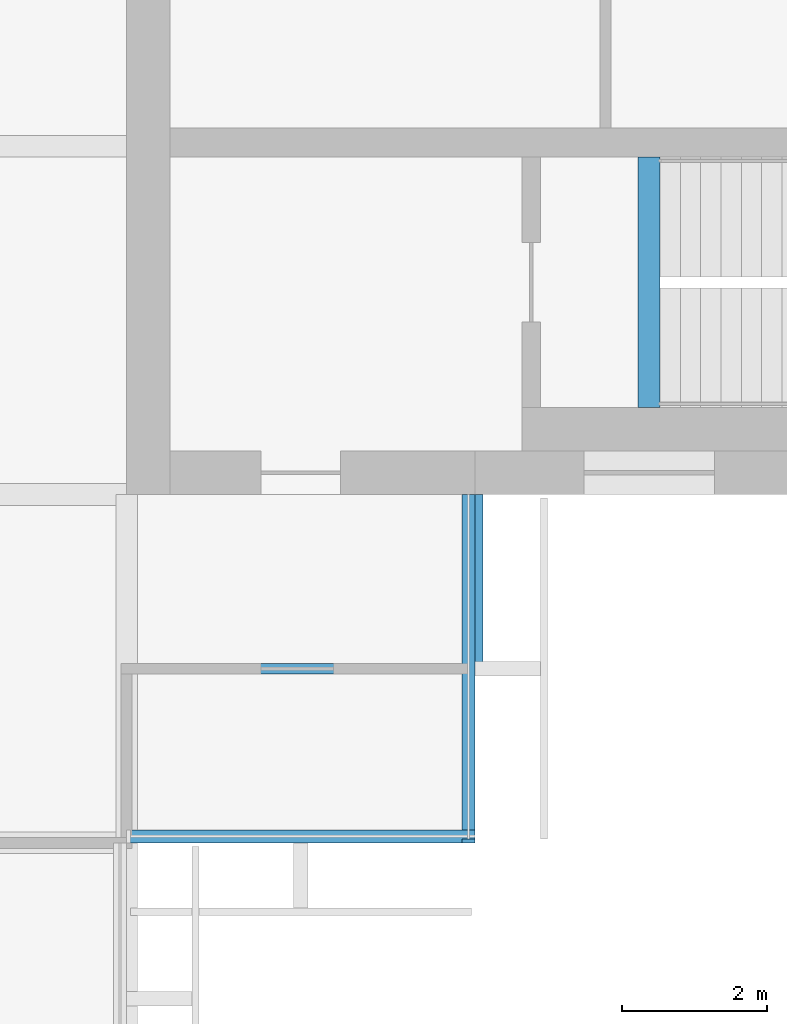
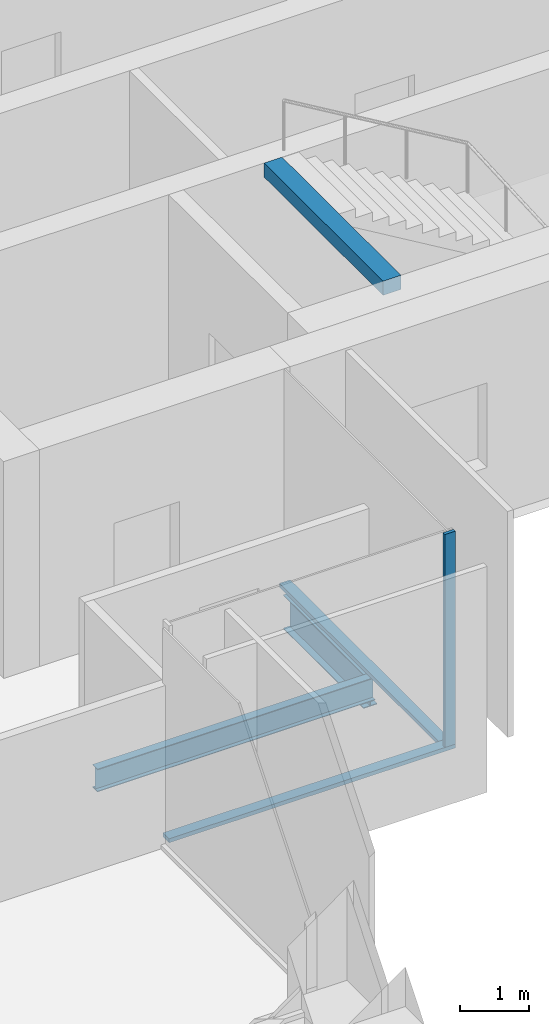
# One storey, part 4 of 13: 3 beams, 3 members, 2 elements without a shape of their own.
"""IFC4 building model written with IfcOpenShell, lengths in metres."""

import ifcopenshell
import ifcopenshell.guid

model = None  # the IFC model being written
_history = None  # IfcOwnerHistory: only IFC2X3 demands one
_inside = {}  # id of a spatial element -> (the spatial element, [elements in it])
_under = {}  # id of a project, library or spatial element -> (it, [spatial elements below it])
_declared = {}  # id of a project -> (the project, [libraries it declares])
_typed = {}  # id of a type object -> (the type object, [elements of that type])
_made_of = {}  # id of a material, layer set ... -> (it, [elements and type objects made of it])


def new_model(schema):
    """Start an empty IFC model of exactly this schema.

    Asked for "IFC4X3", IfcOpenShell would pick the latest addendum, in which some entities
    have other attributes; the version numbers below select the first issue.
    IFC2X3 requires an IfcOwnerHistory on every rooted entity: one is made here for all.
    """
    global model, _history
    if schema == "IFC4X3":
        model = ifcopenshell.file(schema_version=(4, 3, 0, 0))
    else:
        model = ifcopenshell.file(schema=schema)
    _inside.clear()
    _under.clear()
    _declared.clear()
    _typed.clear()
    _made_of.clear()
    _history = None
    if model.schema == "IFC2X3":
        org = make("IfcOrganization", Name="unknown")
        user = make(
            "IfcPersonAndOrganization",
            ThePerson=make("IfcPerson", FamilyName="unknown"),
            TheOrganization=org,
        )
        app = make(
            "IfcApplication",
            ApplicationDeveloper=org,
            Version="unknown",
            ApplicationFullName="unknown",
            ApplicationIdentifier="unknown",
        )
        _history = make(
            "IfcOwnerHistory",
            OwningUser=user,
            OwningApplication=app,
            ChangeAction="ADDED",
            CreationDate=0,
        )
    return model


def make(cls, **values):
    """One entity of the class cls with the attributes given. An attribute that is None is left unset."""
    return model.create_entity(
        cls, **{name: value for name, value in values.items() if value is not None}
    )


def rooted(cls, **values):
    """An entity with a GlobalId (a new one), such as an element, a storey or a relation."""
    return make(cls, GlobalId=ifcopenshell.guid.new(), OwnerHistory=_history, **values)


def si_unit(unit_type, name, prefix=None):
    """IfcSIUnit, for example si_unit("LENGTHUNIT", "METRE", prefix="MILLI")."""
    return make("IfcSIUnit", UnitType=unit_type, Prefix=prefix, Name=name)


def assignment(units):
    """IfcUnitAssignment: the units of a project."""
    return None if units is None else make("IfcUnitAssignment", Units=units)


def point(xyz):
    """IfcCartesianPoint."""
    return None if xyz is None else make("IfcCartesianPoint", Coordinates=xyz)


def direction(xyz):
    """IfcDirection."""
    return None if xyz is None else make("IfcDirection", DirectionRatios=xyz)


def frame(location, z_axis=None, x_axis=None):
    """IfcAxis2Placement3D, a coordinate frame: its origin and axes. An axis left out is left unset."""
    return make(
        "IfcAxis2Placement3D",
        Location=point(location),
        Axis=direction(z_axis),
        RefDirection=direction(x_axis),
    )


def frame_2d(location, x_axis=None):
    """IfcAxis2Placement2D, a coordinate frame in the plane: its origin and x axis."""
    return make(
        "IfcAxis2Placement2D", Location=point(location), RefDirection=direction(x_axis)
    )


def origin():
    """The frame at (0, 0, 0) with its axes left unset."""
    return frame((0.0, 0.0, 0.0))


def origin_2d():
    """The frame at (0, 0) in the plane with its x axis left unset."""
    return frame_2d((0.0, 0.0))


def place(relative_to, where):
    """IfcLocalPlacement: puts the frame where relative to a parent placement (None: the world)."""
    return make(
        "IfcLocalPlacement", PlacementRelTo=relative_to, RelativePlacement=where
    )


def context(
    kind, dimensions, precision=None, world=None, true_north=None, identifier=None
):
    """IfcGeometricRepresentationContext, for example the 3D "Model" context."""
    return make(
        "IfcGeometricRepresentationContext",
        ContextIdentifier=identifier,
        ContextType=kind,
        CoordinateSpaceDimension=dimensions,
        Precision=precision,
        WorldCoordinateSystem=world,
        TrueNorth=true_north,
    )


def subcontext(parent, identifier, kind, view, scale=None):
    """IfcGeometricRepresentationSubContext, for example "Body" below "Model"."""
    return make(
        "IfcGeometricRepresentationSubContext",
        ContextIdentifier=identifier,
        ContextType=kind,
        ParentContext=parent,
        TargetScale=scale,
        TargetView=view,
    )


def project(units=None, contexts=None):
    """IfcProject with its units and contexts."""
    return rooted(
        "IfcProject",
        Name="project",
        RepresentationContexts=contexts,
        UnitsInContext=assignment(units),
    )


def spatial(cls, under=None, at=None, **own):
    """A site, building, storey or space (cls), placed at a placement, below another one or the project."""
    s = rooted(cls, ObjectPlacement=at, **own)
    if under is not None:
        _under.setdefault(under.id(), (under, []))[1].append(s)
    return s


def profile(cls, at=None, kind="AREA", **sizes):
    """A parametric profile (cls). Its sizes go by their IFC names, for example OverallWidth=200.0."""
    return make(cls, ProfileType=kind, Position=at, **sizes)


def rectangle(**sizes):
    """IfcRectangleProfileDef."""
    return profile("IfcRectangleProfileDef", **sizes)


def i_section(**sizes):
    """IfcIShapeProfileDef."""
    return profile("IfcIShapeProfileDef", **sizes)


def extrude(swept, where, along, depth):
    """IfcExtrudedAreaSolid: the profile swept, set in the frame where, extruded along a direction by depth."""
    return make(
        "IfcExtrudedAreaSolid",
        SweptArea=swept,
        Position=where,
        ExtrudedDirection=direction(along),
        Depth=depth,
    )


def shape(context_of_items, identifier, shape_type, items):
    """IfcShapeRepresentation: the items that make up one representation, for example the "Body"."""
    return make(
        "IfcShapeRepresentation",
        ContextOfItems=context_of_items,
        RepresentationIdentifier=identifier,
        RepresentationType=shape_type,
        Items=items,
    )


def material(Name=None, Category=None):
    """IfcMaterial."""
    return make("IfcMaterial", Name=Name, Category=Category)


def material_profile(
    of_material, cross_section, Name=None, Category=None, Priority=None
):
    """IfcMaterialProfile: a cross section and its material."""
    return make(
        "IfcMaterialProfile",
        Name=Name,
        Material=of_material,
        Profile=cross_section,
        Priority=Priority,
        Category=Category,
    )


def profile_set(profiles, Name=None, composite=None):
    """IfcMaterialProfileSet."""
    return make(
        "IfcMaterialProfileSet",
        Name=Name,
        MaterialProfiles=profiles,
        CompositeProfile=composite,
    )


def made_of(thing, what):
    """Note that an element or type object is made of a material, layer set ...; save() writes the relation."""
    if what is not None:
        _made_of.setdefault(what.id(), (what, []))[1].append(thing)
    return thing


def type_object(cls, material=None, **own):
    """A type object (cls), such as IfcWallType, which elements share."""
    return made_of(rooted(cls, **own), material)


def element(
    cls,
    number,
    at=None,
    inside=None,
    cuts=None,
    type_object=None,
    material=None,
    context=None,
    identifier="Body",
    shape_type=None,
    held_by="IfcProductDefinitionShape",
    body=None,
    shapes=None,
    **own,
):
    """One element of the class cls, such as IfcWall. Its Tag is "e" and its number.

    at: its placement. inside: the storey or other place that contains it. cuts: it is an
    opening in that element (IfcRelVoidsElement). A single representation is given by context,
    identifier, shape_type and body (its items); several are given by shapes. held_by: the class
    of the entity that holds the representations. save() writes the other relations.
    """
    e = rooted(cls, Tag="e%d" % number, ObjectPlacement=at, **own)
    if body is not None:
        shapes = [shape(context, identifier, shape_type, body)]
    if shapes is not None:
        e.Representation = make(held_by, Representations=shapes)
    if inside is not None:
        _inside.setdefault(inside.id(), (inside, []))[1].append(e)
    if cuts is not None:
        rooted(
            "IfcRelVoidsElement", RelatingBuildingElement=cuts, RelatedOpeningElement=e
        )
    if type_object is not None:
        _typed.setdefault(type_object.id(), (type_object, []))[1].append(e)
    return made_of(e, material)


def aggregate(whole, parts):
    """IfcRelAggregates: a whole, such as a stair, and the parts it consists of."""
    return rooted("IfcRelAggregates", RelatingObject=whole, RelatedObjects=parts)


def save(model, path):
    """Write the relations noted so far, then the file.

    IfcRelAggregates (storeys below a building ...), IfcRelContainedInSpatialStructure (elements
    in a storey), IfcRelDefinesByType, IfcRelAssociatesMaterial and IfcRelDeclares: one each for
    every whole, place, type object, material and project.
    """
    for whole, parts in _under.values():
        aggregate(whole, parts)
    for where, things in _inside.values():
        rooted(
            "IfcRelContainedInSpatialStructure",
            RelatedElements=things,
            RelatingStructure=where,
        )
    for kind, things in _typed.values():
        rooted("IfcRelDefinesByType", RelatedObjects=things, RelatingType=kind)
    for what, things in _made_of.values():
        rooted("IfcRelAssociatesMaterial", RelatedObjects=things, RelatingMaterial=what)
    for by, libraries in _declared.values():
        rooted("IfcRelDeclares", RelatingContext=by, RelatedDefinitions=libraries)
    model.write(path)


model = new_model("IFC4")

# Units and contexts
model_context = context("Model", 3, precision=1e-05, world=origin(), true_north=direction((0.0, 1.0)))
body_context = subcontext(model_context, "Body", "Model", "MODEL_VIEW")
ifc_project = project(units=[si_unit("LENGTHUNIT", "METRE"), si_unit("AREAUNIT", "SQUARE_METRE"), si_unit("VOLUMEUNIT", "CUBIC_METRE"), si_unit("PLANEANGLEUNIT", "RADIAN"), si_unit("MASSUNIT", "GRAM", prefix="KILO")], contexts=[model_context])

# Site, building, storey
site_placement = place(None, origin())
site = spatial("IfcSite", under=ifc_project, at=site_placement, CompositionType="ELEMENT")
building_placement = place(site_placement, origin())
building = spatial("IfcBuilding", under=site, at=building_placement, Name="Baori Bourse Tower", CompositionType="ELEMENT")
storey_placement = place(building_placement, frame((0.0, 0.0, 294.300048828125)))
storey = spatial("IfcBuildingStorey", under=building, at=storey_placement, Name="L64", CompositionType="ELEMENT", Elevation=294.300048828125)

# Curtain wall, member
ifc_material_1 = material(Name="Pale anodised aluminium", Category="aluminium")
curtain_wall_type = type_object("IfcCurtainWallType", Name="CW2 Curtain wall", PredefinedType="NOTDEFINED", material=ifc_material_1)
curtain_wall_1_placement = place(storey_placement, origin())
curtain_wall_1 = element("IfcCurtainWall", 1, at=curtain_wall_1_placement, inside=storey, type_object=curtain_wall_type, Name="Curtain wall CW2 L64 14", PredefinedType="NOTDEFINED")
ifc_material_2 = material(Name="Pale anodised aluminium", Category="aluminium")
ifc_material_profile_1 = material_profile(ifc_material_2, rectangle(XDim=0.179931640625, YDim=0.054931640625, at=origin_2d()), Name="Mullion 55x180")
ifc_profile_set_1 = profile_set([ifc_material_profile_1], Name="Pale anodised aluminium")
member_type_1 = type_object("IfcMemberType", Name="CW2 Curtain wall mullion", PredefinedType="MULLION", material=ifc_profile_set_1)
member_1_placement = place(storey_placement, frame((43.110107421875, 4.827392578125, 0.070068359375), z_axis=(0.0, 0.0, 1.0), x_axis=(-1.0, 0.0, 0.0)))
member_1 = element("IfcMember", 2, at=member_1_placement, type_object=member_type_1, Name="Curtain wall CW2 mullion", PredefinedType="MULLION", context=body_context, shape_type="SweptSolid", body=[
    extrude(rectangle(XDim=0.179931640625, YDim=0.054931640625, at=origin_2d()), origin(), (0.0, 0.0, 1.0), 3.769775390625),
])

curtain_wall_2_placement = place(storey_placement, origin())
curtain_wall_2 = element("IfcCurtainWall", 3, at=curtain_wall_2_placement, inside=storey, type_object=curtain_wall_type, Name="Curtain wall CW2 L64 13", PredefinedType="NOTDEFINED")
ifc_material_3 = material(Name="Pale anodised aluminium", Category="aluminium")
ifc_material_profile_2 = material_profile(ifc_material_3, rectangle(XDim=0.179931640625, YDim=0.070068359375, at=origin_2d()), Name="Transom 70x180")
ifc_profile_set_2 = profile_set([ifc_material_profile_2], Name="Pale anodised aluminium")
member_type_2 = type_object("IfcMemberType", Name="CW2 Curtain wall transom", PredefinedType="USERDEFINED", material=ifc_profile_set_2)
member_2_placement = place(storey_placement, frame((38.39990234375, 4.889892578125, 0.034912109375), z_axis=(1.0, 0.0, 0.0), x_axis=(0.0, 1.0, 0.0)))
member_2 = element("IfcMember", 4, at=member_2_placement, type_object=member_type_2, Name="Curtain wall CW2 sill rail", ObjectType="TRANSOM", PredefinedType="USERDEFINED", context=body_context, shape_type="SweptSolid", body=[
    extrude(rectangle(XDim=0.179931640625, YDim=0.070068359375, at=origin_2d()), origin(), (0.0, 0.0, 1.0), 4.800048828125),
])
aggregate(curtain_wall_2, [member_2])

# Member
member_3_placement = place(storey_placement, frame((43.110107421875, 4.800048828125, 0.034912109375), z_axis=(0.0, 1.0, 0.0), x_axis=(-1.0, 0.0, 0.0)))
member_3 = element("IfcMember", 5, at=member_3_placement, type_object=member_type_2, Name="Curtain wall CW2 sill rail", ObjectType="TRANSOM", PredefinedType="USERDEFINED", context=body_context, shape_type="SweptSolid", body=[
    extrude(rectangle(XDim=0.179931640625, YDim=0.070068359375, at=origin_2d()), origin(), (0.0, 0.0, 1.0), 4.800048828125),
])

aggregate(curtain_wall_1, [member_3, member_1])

# Beams
ifc_material_4 = material(Name="Steel A992 Gr 50", Category="steel")
ifc_material_profile_3 = material_profile(ifc_material_4, i_section(OverallWidth=0.227783203125, OverallDepth=0.60205078125, WebThickness=0.010498046875, FlangeThickness=0.014892578125, at=origin_2d()), Name="W24x68")
ifc_profile_set_3 = profile_set([ifc_material_profile_3], Name="Steel A992 Gr 50")
beam_type_1 = type_object("IfcBeamType", Name="Core bracket W24x68", PredefinedType="BEAM", material=ifc_profile_set_3)
beam_1_placement = place(storey_placement, frame((43.199951171875, 7.270263671875, -0.4609375), z_axis=(0.0, 1.0, 0.0), x_axis=(-1.0, 0.0, 0.0)))
element("IfcBeam", 6, at=beam_1_placement, inside=storey, type_object=beam_type_1, Name="Core bracket L64", PredefinedType="BEAM", context=body_context, shape_type="SweptSolid", body=[
    extrude(i_section(OverallWidth=0.227783203125, OverallDepth=0.60205078125, WebThickness=0.010498046875, FlangeThickness=0.014892578125, at=origin_2d()), origin(), (0.0, 0.0, 1.0), 2.329833984375),
])
ifc_material_5 = material(Name="Concrete f'c 50 MPa", Category="concrete")
ifc_material_profile_4 = material_profile(ifc_material_5, rectangle(XDim=0.300048828125, YDim=0.25, at=origin_2d()), Name="RC 300x250")
ifc_profile_set_4 = profile_set([ifc_material_profile_4], Name="Concrete f'c 50 MPa")
beam_type_2 = type_object("IfcBeamType", Name="Stair nib beam RC 300x250", PredefinedType="BEAM", material=ifc_profile_set_4)
beam_2_placement = place(storey_placement, frame((45.60009765625, 10.800048828125, 3.71484375), z_axis=(0.0, 1.0, 0.0), x_axis=(-1.0, 0.0, 0.0)))
element("IfcBeam", 7, at=beam_2_placement, inside=storey, type_object=beam_type_2, Name="Stair EA nib beam L65", PredefinedType="BEAM", context=body_context, shape_type="SweptSolid", body=[
    extrude(rectangle(XDim=0.300048828125, YDim=0.25, at=origin_2d()), origin(), (0.0, 0.0, 1.0), 3.449951171875),
])
ifc_material_6 = material(Name="Steel A992 Gr 50", Category="steel")
ifc_material_profile_5 = material_profile(ifc_material_6, i_section(OverallWidth=0.140380859375, OverallDepth=0.40380859375, WebThickness=0.007080078125, FlangeThickness=0.01123046875, at=origin_2d()), Name="W16x31")
ifc_profile_set_5 = profile_set([ifc_material_profile_5], Name="Steel A992 Gr 50")
beam_type_3 = type_object("IfcBeamType", Name="Trimmer beam W16x31", PredefinedType="BEAM", material=ifc_profile_set_5)
beam_3_placement = place(storey_placement, frame((38.546142578125, 7.199951171875, -0.362060546875), z_axis=(1.0, 0.0, 0.0), x_axis=(0.0, 1.0, 0.0)))
element("IfcBeam", 8, at=beam_3_placement, inside=storey, type_object=beam_type_3, Name="Trimmer beam L64", PredefinedType="BEAM", context=body_context, shape_type="SweptSolid", body=[
    extrude(i_section(OverallWidth=0.140380859375, OverallDepth=0.40380859375, WebThickness=0.007080078125, FlangeThickness=0.01123046875, at=origin_2d()), origin(), (0.0, 0.0, 1.0), 4.65380859375),
])

save(model, "model.ifc")
